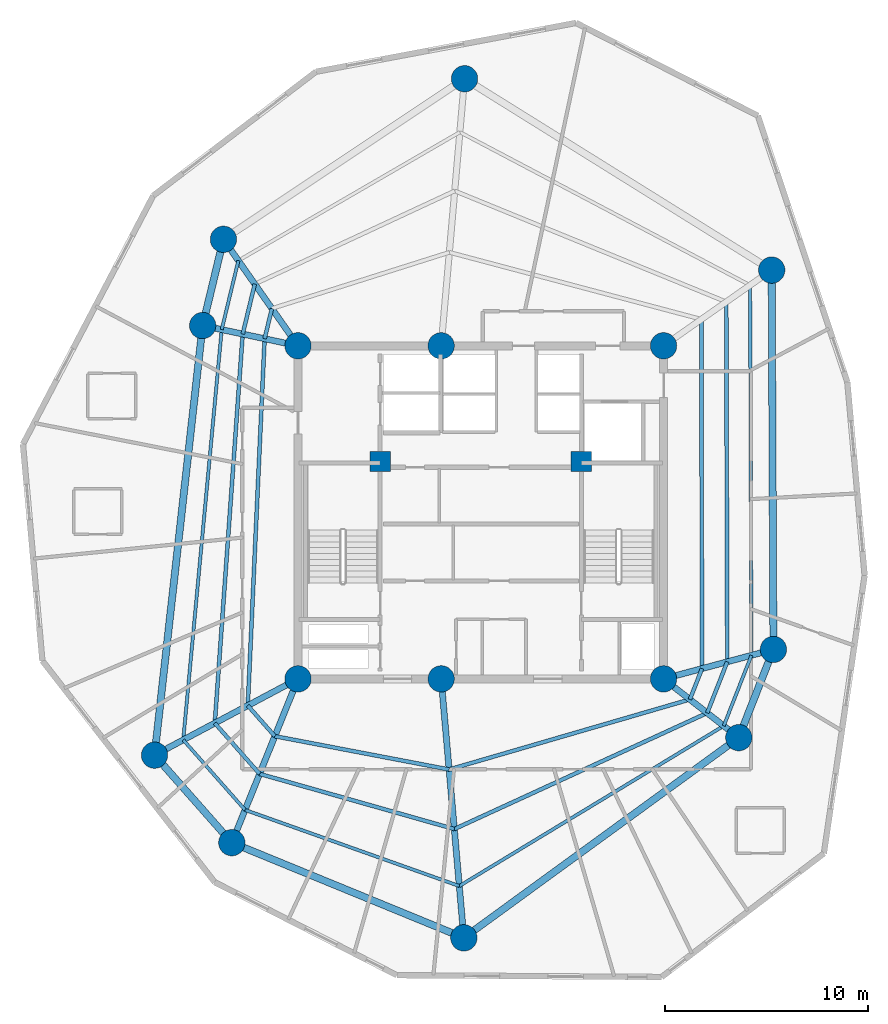
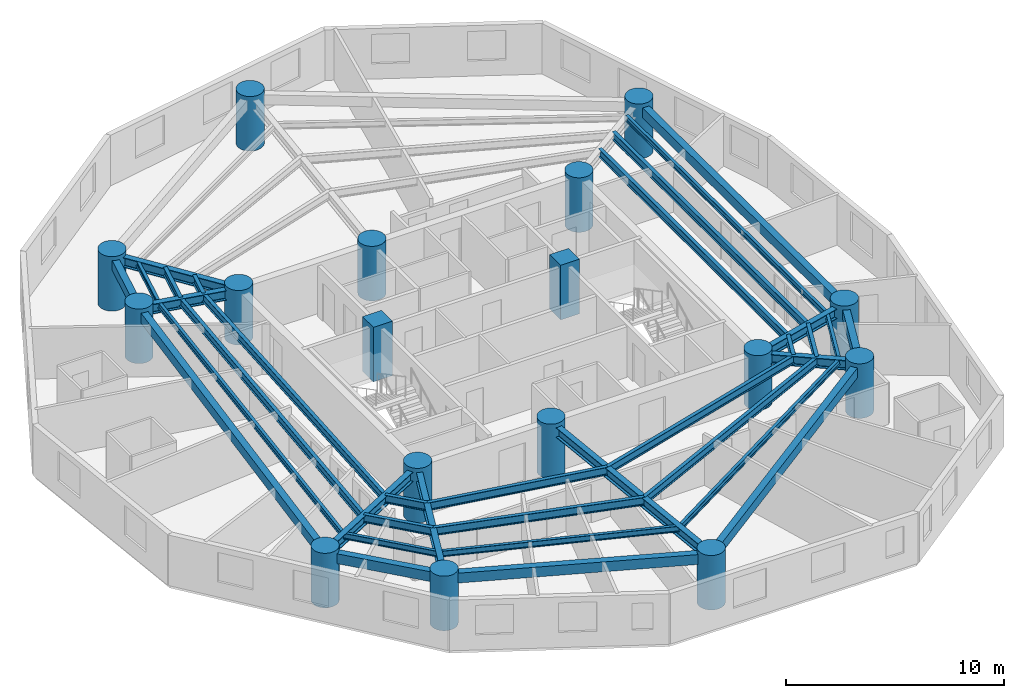
# One storey, part 1 of 7: 35 beams, 17 columns.
"""IFC4 building model written with IfcOpenShell, lengths in metres."""

from ifc_helpers import new_model, si_unit, direction, frame, origin, origin_with_axes, origin_2d, place, context, subcontext, project, spatial, rectangle, circle, i_section, extrude, source, transform, mapped, material, material_profile, profile_set, type_object, element, save


model = new_model("IFC4")

# Units and contexts
model_context = context("Model", 3, precision=1e-05, world=origin(), true_north=direction((0.0, 1.0)))
body_context = subcontext(model_context, "Body", "Model", "MODEL_VIEW")
ifc_project = project(units=[si_unit("LENGTHUNIT", "METRE"), si_unit("AREAUNIT", "SQUARE_METRE"), si_unit("VOLUMEUNIT", "CUBIC_METRE"), si_unit("PLANEANGLEUNIT", "RADIAN"), si_unit("MASSUNIT", "GRAM", prefix="KILO")], contexts=[model_context])

# Site, building, storey
site_placement = place(None, origin())
site = spatial("IfcSite", under=ifc_project, at=site_placement, CompositionType="ELEMENT")
building_placement = place(site_placement, origin())
building = spatial("IfcBuilding", under=site, at=building_placement, Name="Karkom Vertical University and Central Library", CompositionType="ELEMENT")
storey_placement = place(building_placement, frame((0.0, 0.0, 199.25)))
storey = spatial("IfcBuildingStorey", under=building, at=storey_placement, Name="L58", CompositionType="ELEMENT", Elevation=199.25)

# Columns
ifc_material_1 = material(Name="Concrete C50/60", Category="concrete")
ifc_material_profile_1 = material_profile(ifc_material_1, circle(Radius=0.64990234375, at=origin_2d()), Name="CFT-D1300")
ifc_profile_set_1 = profile_set([ifc_material_profile_1], Name="Concrete C50/60")
column_type_1 = type_object("IfcColumnType", Name="STR-COL-C-SC4", PredefinedType="COLUMN", material=ifc_profile_set_1)
shared_shape_1 = source(origin_with_axes(), body_context, "Body", "SweptSolid", [
    extrude(circle(Radius=0.64990234375, at=origin_2d()), origin(), (0.0, 0.0, 1.0), 3.050048828125),
])
for number, where, z_axis, x_axis, name in (
    (1, (19.5, 18.300048828125, 0.0), (0.0, 0.0, 1.0), (1.0, 0.0, 0.0), "Level 58 Spine Mega-Column SC-1"),
    (2, (26.550048828125, 18.300048828125, 0.0), (0.0, 0.0, 1.0), (1.0, 0.0, 0.0), "Level 58 Spine Mega-Column SC-2"),
    (3, (37.5, 18.300048828125, 0.0), (0.0, 0.0, 1.0), (1.0, 0.0, 0.0), "Level 58 Spine Mega-Column SC-3"),
    (4, (19.5, 34.699951171875, 0.0), (0.0, 0.0, 1.0), (1.0, 0.0, 0.0), "Level 58 Spine Mega-Column SC-4"),
    (5, (26.550048828125, 34.699951171875, 0.0), (0.0, 0.0, 1.0), (1.0, 0.0, 0.0), "Level 58 Spine Mega-Column SC-5"),
    (6, (37.5, 34.699951171875, 0.0), (0.0, 0.0, 1.0), (1.0, 0.0, 0.0), "Level 58 Spine Mega-Column SC-6"),
    (7, (42.908935546875, 19.7490234375, 0.0), (0.0, 0.0, 1.0), (1.0, 0.0, 0.0), "Level 58 Perimeter Mega-Column Z3-PC1"),
    (8, (42.823974609375, 38.427978515625, 0.0), (0.0, 0.0, 1.0), (1.0, 0.0, 0.0), "Level 58 Perimeter Mega-Column Z3-PC2"),
    (9, (27.699951171875, 47.85009765625, 0.0), (0.0, 0.0, 1.0), (1.0, 0.0, 0.0), "Level 58 Perimeter Mega-Column Z3-PC3"),
    (10, (15.8291015625, 39.943115234375, 0.0), (0.0, 0.0, 1.0), (1.0, 0.0, 0.0), "Level 58 Perimeter Mega-Column Z3-PC4"),
    (11, (14.804931640625, 35.697998046875, 0.0), (0.0, 0.0, 1.0), (1.0, 0.0, 0.0), "Level 58 Perimeter Mega-Column Z3-PC5"),
    (12, (12.43603515625, 14.5439453125, 0.0), (0.0, 0.0, 1.0), (1.0, 0.0, 0.0), "Level 58 Perimeter Mega-Column Z3-PC6"),
    (13, (16.240966796875, 10.23388671875, 0.0), (0.0, 0.0, 1.0), (1.0, 0.0, 0.0), "Level 58 Perimeter Mega-Column Z3-PC7"),
    (14, (27.666015625, 5.549072265625, 0.0), (0.0, 0.0, 1.0), (1.0, 0.0, 0.0), "Level 58 Perimeter Mega-Column Z3-PC8"),
    (15, (41.2041015625, 15.406005859375, 0.0), (0.0, 0.0, 1.0), (1.0, 0.0, 0.0), "Level 58 Perimeter Mega-Column Z3-PC9"),
):
    element("IfcColumn", number, at=place(storey_placement, frame(where, z_axis=z_axis, x_axis=x_axis)), inside=storey, type_object=column_type_1, Name=name, PredefinedType="COLUMN", context=body_context, shape_type="MappedRepresentation", body=[
        mapped(shared_shape_1, transform((0.0, 0.0, 0.0), scale=1.0)),
    ])
ifc_material_profile_2 = material_profile(ifc_material_1, rectangle(XDim=1.0, YDim=1.0, at=origin_2d()), Name="RC-1000x1000")
ifc_profile_set_2 = profile_set([ifc_material_profile_2], Name="Concrete C50/60")
column_type_2 = type_object("IfcColumnType", Name="STR-COL-C-CC2", PredefinedType="COLUMN", material=ifc_profile_set_2)
shared_shape_2 = source(origin_with_axes(), body_context, "Body", "SweptSolid", [
    extrude(rectangle(XDim=1.0, YDim=1.0, at=origin_2d()), origin(), (0.0, 0.0, 1.0), 3.050048828125),
])
for number, where, z_axis, x_axis, name in (
    (16, (23.550048828125, 29.0, 0.0), (0.0, 0.0, 1.0), (1.0, 0.0, 0.0), "Level 58 Core Node Column CC-1"),
    (17, (33.449951171875, 29.0, 0.0), (0.0, 0.0, 1.0), (1.0, 0.0, 0.0), "Level 58 Core Node Column CC-2"),
):
    element("IfcColumn", number, at=place(storey_placement, frame(where, z_axis=z_axis, x_axis=x_axis)), inside=storey, type_object=column_type_2, Name=name, PredefinedType="COLUMN", context=body_context, shape_type="MappedRepresentation", body=[
        mapped(shared_shape_2, transform((0.0, 0.0, 0.0), scale=1.0)),
    ])

# Beams
ifc_material_2 = material(Name="Precast concrete C45/55", Category="concrete")
ifc_material_profile_3 = material_profile(ifc_material_2, rectangle(XDim=0.35009765625, YDim=0.550048828125, at=origin_2d()), Name="SPB-350x550")
ifc_profile_set_3 = profile_set([ifc_material_profile_3], Name="Precast concrete C45/55")
beam_type_1 = type_object("IfcBeamType", Name="STR-BM-SP-2", PredefinedType="SPANDREL", material=ifc_profile_set_3)
shared_shape_3 = source(origin_with_axes(), body_context, "Body", "SweptSolid", [
    extrude(rectangle(XDim=0.35009765625, YDim=0.550048828125, at=origin_2d()), origin(), (0.0, 0.0, 1.0), 18.67919921875),
])
beam_1_placement = place(storey_placement, frame((42.908935546875, 19.7490234375, 2.550048828125), z_axis=(-0.004548437442, 0.999989655805, 0.0), x_axis=(-0.999989655805, -0.004548437442, 0.0)))
element("IfcBeam", 18, at=beam_1_placement, inside=storey, type_object=beam_type_1, Name="Level 58 Perimeter Spandrel Beam 01", PredefinedType="SPANDREL", context=body_context, shape_type="MappedRepresentation", body=[
    mapped(shared_shape_3, transform((0.0, 0.0, 0.0), scale=1.0)),
])
shared_shape_4 = source(origin_with_axes(), body_context, "Body", "SweptSolid", [
    extrude(rectangle(XDim=0.35009765625, YDim=0.550048828125, at=origin_2d()), origin(), (0.0, 0.0, 1.0), 4.366943359375),
])
beam_2_placement = place(storey_placement, frame((15.8291015625, 39.943115234375, 2.550048828125), z_axis=(-0.234529408772, -0.972109024966, 0.0), x_axis=(0.972109024966, -0.234529408772, 0.0)))
element("IfcBeam", 19, at=beam_2_placement, inside=storey, type_object=beam_type_1, Name="Level 58 Perimeter Spandrel Beam 04", PredefinedType="SPANDREL", context=body_context, shape_type="MappedRepresentation", body=[
    mapped(shared_shape_4, transform((0.0, 0.0, 0.0), scale=1.0)),
])
shared_shape_5 = source(origin_with_axes(), body_context, "Body", "SweptSolid", [
    extrude(rectangle(XDim=0.35009765625, YDim=0.550048828125, at=origin_2d()), origin(), (0.0, 0.0, 1.0), 21.286376953125),
])
beam_3_placement = place(storey_placement, frame((14.804931640625, 35.697998046875, 2.550048828125), z_axis=(-0.111287493264, -0.993788254028, 0.0), x_axis=(0.993788254028, -0.111287493264, 0.0)))
element("IfcBeam", 20, at=beam_3_placement, inside=storey, type_object=beam_type_1, Name="Level 58 Perimeter Spandrel Beam 05", PredefinedType="SPANDREL", context=body_context, shape_type="MappedRepresentation", body=[
    mapped(shared_shape_5, transform((0.0, 0.0, 0.0), scale=1.0)),
])
shared_shape_6 = source(origin_with_axes(), body_context, "Body", "SweptSolid", [
    extrude(rectangle(XDim=0.35009765625, YDim=0.550048828125, at=origin_2d()), origin(), (0.0, 0.0, 1.0), 5.749267578125),
])
beam_4_placement = place(storey_placement, frame((12.43603515625, 14.5439453125, 2.550048828125), z_axis=(0.661811219671, -0.74967053398, 0.0), x_axis=(0.74967053398, 0.661811219671, 0.0)))
element("IfcBeam", 21, at=beam_4_placement, inside=storey, type_object=beam_type_1, Name="Level 58 Perimeter Spandrel Beam 06", PredefinedType="SPANDREL", context=body_context, shape_type="MappedRepresentation", body=[
    mapped(shared_shape_6, transform((0.0, 0.0, 0.0), scale=1.0)),
])
shared_shape_7 = source(origin_with_axes(), body_context, "Body", "SweptSolid", [
    extrude(rectangle(XDim=0.35009765625, YDim=0.550048828125, at=origin_2d()), origin(), (0.0, 0.0, 1.0), 12.34814453125),
])
beam_5_placement = place(storey_placement, frame((16.240966796875, 10.23388671875, 2.550048828125), z_axis=(0.925236428984, -0.37939102583, 0.0), x_axis=(0.37939102583, 0.925236428984, 0.0)))
element("IfcBeam", 22, at=beam_5_placement, inside=storey, type_object=beam_type_1, Name="Level 58 Perimeter Spandrel Beam 07", PredefinedType="SPANDREL", context=body_context, shape_type="MappedRepresentation", body=[
    mapped(shared_shape_7, transform((0.0, 0.0, 0.0), scale=1.0)),
])
shared_shape_8 = source(origin_with_axes(), body_context, "Body", "SweptSolid", [
    extrude(rectangle(XDim=0.35009765625, YDim=0.550048828125, at=origin_2d()), origin(), (0.0, 0.0, 1.0), 16.746337890625),
])
beam_6_placement = place(storey_placement, frame((27.666015625, 5.549072265625, 2.550048828125), z_axis=(0.808422013284, 0.588603303115, 0.0), x_axis=(-0.588603303115, 0.808422013284, 0.0)))
element("IfcBeam", 23, at=beam_6_placement, inside=storey, type_object=beam_type_1, Name="Level 58 Perimeter Spandrel Beam 08", PredefinedType="SPANDREL", context=body_context, shape_type="MappedRepresentation", body=[
    mapped(shared_shape_8, transform((0.0, 0.0, 0.0), scale=1.0)),
])
shared_shape_9 = source(origin_with_axes(), body_context, "Body", "SweptSolid", [
    extrude(rectangle(XDim=0.35009765625, YDim=0.550048828125, at=origin_2d()), origin(), (0.0, 0.0, 1.0), 4.66552734375),
])
beam_7_placement = place(storey_placement, frame((41.2041015625, 15.406005859375, 2.550048828125), z_axis=(0.365401419454, 0.930850043058, 0.0), x_axis=(-0.930850043058, 0.365401419454, 0.0)))
element("IfcBeam", 24, at=beam_7_placement, inside=storey, type_object=beam_type_1, Name="Level 58 Perimeter Spandrel Beam 09", PredefinedType="SPANDREL", context=body_context, shape_type="MappedRepresentation", body=[
    mapped(shared_shape_9, transform((0.0, 0.0, 0.0), scale=1.0)),
])
ifc_material_3 = material(Name="Steel S355", Category="steel")
ifc_material_profile_4 = material_profile(ifc_material_3, i_section(OverallWidth=0.18994140625, OverallDepth=0.449951171875, WebThickness=0.009521484375, FlangeThickness=0.0146484375, FilletRadius=0.02099609375, at=origin_2d()), Name="IPE 450")
ifc_profile_set_4 = profile_set([ifc_material_profile_4], Name="Steel S355")
beam_type_2 = type_object("IfcBeamType", Name="STR-BM-SB-IPE450", PredefinedType="BEAM", material=ifc_profile_set_4)
shared_shape_10 = source(origin_with_axes(), body_context, "Body", "SweptSolid", [
    extrude(i_section(OverallWidth=0.18994140625, OverallDepth=0.449951171875, WebThickness=0.009521484375, FlangeThickness=0.0146484375, FilletRadius=0.02099609375, at=origin_2d()), origin(), (0.0, 0.0, 1.0), 17.19775390625),
])
beam_8_placement = place(storey_placement, frame((39.39306640625, 18.80712890625, 2.60009765625), z_axis=(-0.001731918699, 0.999998500228, 0.0), x_axis=(-0.999998500228, -0.001731918699, 0.0)))
element("IfcBeam", 25, at=beam_8_placement, inside=storey, type_object=beam_type_2, Name="Level 58 Secondary Composite Floor Beam 1.01", PredefinedType="BEAM", context=body_context, shape_type="MappedRepresentation", body=[
    mapped(shared_shape_10, transform((0.0, 0.0, 0.0), scale=1.0)),
])
shared_shape_11 = source(origin_with_axes(), body_context, "Body", "SweptSolid", [
    extrude(i_section(OverallWidth=0.18994140625, OverallDepth=0.449951171875, WebThickness=0.009521484375, FlangeThickness=0.0146484375, FilletRadius=0.02099609375, at=origin_2d()), origin(), (0.0, 0.0, 1.0), 1.5283203125),
])
beam_9_placement = place(storey_placement, frame((18.215087890625, 36.534912109375, 2.60009765625), z_axis=(-0.234520804587, -0.972111100757, 0.0), x_axis=(0.972111100757, -0.234520804587, 0.0)))
element("IfcBeam", 26, at=beam_9_placement, inside=storey, type_object=beam_type_2, Name="Level 58 Secondary Composite Floor Beam 1.04", PredefinedType="BEAM", context=body_context, shape_type="MappedRepresentation", body=[
    mapped(shared_shape_11, transform((0.0, 0.0, 0.0), scale=1.0)),
])
shared_shape_12 = source(origin_with_axes(), body_context, "Body", "SweptSolid", [
    extrude(i_section(OverallWidth=0.18994140625, OverallDepth=0.449951171875, WebThickness=0.009521484375, FlangeThickness=0.0146484375, FilletRadius=0.02099609375, at=origin_2d()), origin(), (0.0, 0.0, 1.0), 18.0830078125),
])
beam_10_placement = place(storey_placement, frame((17.856689453125, 35.04931640625, 2.60009765625), z_axis=(-0.04584982532, -0.998948343769, 0.0), x_axis=(0.998948343769, -0.04584982532, 0.0)))
element("IfcBeam", 27, at=beam_10_placement, inside=storey, type_object=beam_type_2, Name="Level 58 Secondary Composite Floor Beam 1.05", PredefinedType="BEAM", context=body_context, shape_type="MappedRepresentation", body=[
    mapped(shared_shape_12, transform((0.0, 0.0, 0.0), scale=1.0)),
])
shared_shape_13 = source(origin_with_axes(), body_context, "Body", "SweptSolid", [
    extrude(i_section(OverallWidth=0.18994140625, OverallDepth=0.449951171875, WebThickness=0.009521484375, FlangeThickness=0.0146484375, FilletRadius=0.02099609375, at=origin_2d()), origin(), (0.0, 0.0, 1.0), 2.01220703125),
])
beam_11_placement = place(storey_placement, frame((17.027587890625, 16.9853515625, 2.60009765625), z_axis=(0.661822246424, -0.749660799387, 0.0), x_axis=(0.749660799387, 0.661822246424, 0.0)))
element("IfcBeam", 28, at=beam_11_placement, inside=storey, type_object=beam_type_2, Name="Level 58 Secondary Composite Floor Beam 1.06", PredefinedType="BEAM", context=body_context, shape_type="MappedRepresentation", body=[
    mapped(shared_shape_13, transform((0.0, 0.0, 0.0), scale=1.0)),
])
shared_shape_14 = source(origin_with_axes(), body_context, "Body", "SweptSolid", [
    extrude(i_section(OverallWidth=0.18994140625, OverallDepth=0.449951171875, WebThickness=0.009521484375, FlangeThickness=0.0146484375, FilletRadius=0.02099609375, at=origin_2d()), origin(), (0.0, 0.0, 1.0), 8.736572265625),
])
beam_12_placement = place(storey_placement, frame((18.359375, 15.476806640625, 2.60009765625), z_axis=(0.982230782932, -0.187677087205, 0.0), x_axis=(0.187677087205, 0.982230782932, 0.0)))
element("IfcBeam", 29, at=beam_12_placement, inside=storey, type_object=beam_type_2, Name="Level 58 Secondary Composite Floor Beam 1.07", PredefinedType="BEAM", context=body_context, shape_type="MappedRepresentation", body=[
    mapped(shared_shape_14, transform((0.0, 0.0, 0.0), scale=1.0)),
])
shared_shape_15 = source(origin_with_axes(), body_context, "Body", "SweptSolid", [
    extrude(i_section(OverallWidth=0.18994140625, OverallDepth=0.449951171875, WebThickness=0.009521484375, FlangeThickness=0.0146484375, FilletRadius=0.02099609375, at=origin_2d()), origin(), (0.0, 0.0, 1.0), 12.347412109375),
])
beam_13_placement = place(storey_placement, frame((26.940673828125, 13.837158203125, 2.60009765625), z_axis=(0.960173212987, 0.279405442077, 0.0), x_axis=(-0.279405442077, 0.960173212987, 0.0)))
element("IfcBeam", 30, at=beam_13_placement, inside=storey, type_object=beam_type_2, Name="Level 58 Secondary Composite Floor Beam 1.08", PredefinedType="BEAM", context=body_context, shape_type="MappedRepresentation", body=[
    mapped(shared_shape_15, transform((0.0, 0.0, 0.0), scale=1.0)),
])
shared_shape_16 = source(origin_with_axes(), body_context, "Body", "SweptSolid", [
    extrude(i_section(OverallWidth=0.18994140625, OverallDepth=0.449951171875, WebThickness=0.009521484375, FlangeThickness=0.0146484375, FilletRadius=0.02099609375, at=origin_2d()), origin(), (0.0, 0.0, 1.0), 1.633056640625),
])
beam_14_placement = place(storey_placement, frame((38.79638671875, 17.287109375, 2.60009765625), z_axis=(0.365402570083, 0.930849591382, 0.0), x_axis=(-0.930849591382, 0.365402570083, 0.0)))
element("IfcBeam", 31, at=beam_14_placement, inside=storey, type_object=beam_type_2, Name="Level 58 Secondary Composite Floor Beam 1.09", PredefinedType="BEAM", context=body_context, shape_type="MappedRepresentation", body=[
    mapped(shared_shape_16, transform((0.0, 0.0, 0.0), scale=1.0)),
])
shared_shape_17 = source(origin_with_axes(), body_context, "Body", "SweptSolid", [
    extrude(i_section(OverallWidth=0.18994140625, OverallDepth=0.449951171875, WebThickness=0.009521484375, FlangeThickness=0.0146484375, FilletRadius=0.02099609375, at=origin_2d()), origin(), (0.0, 0.0, 1.0), 17.721923828125),
])
beam_15_placement = place(storey_placement, frame((40.63720703125, 19.140380859375, 2.60009765625), z_axis=(-0.002782780006, 0.99999612806, 0.0), x_axis=(-0.99999612806, -0.002782780006, 0.0)))
element("IfcBeam", 32, at=beam_15_placement, inside=storey, type_object=beam_type_2, Name="Level 58 Secondary Composite Floor Beam 2.01", PredefinedType="BEAM", context=body_context, shape_type="MappedRepresentation", body=[
    mapped(shared_shape_17, transform((0.0, 0.0, 0.0), scale=1.0)),
])
shared_shape_18 = source(origin_with_axes(), body_context, "Body", "SweptSolid", [
    extrude(i_section(OverallWidth=0.18994140625, OverallDepth=0.449951171875, WebThickness=0.009521484375, FlangeThickness=0.0146484375, FilletRadius=0.02099609375, at=origin_2d()), origin(), (0.0, 0.0, 1.0), 2.53271484375),
])
beam_16_placement = place(storey_placement, frame((17.370849609375, 37.740966796875, 2.60009765625), z_axis=(-0.234521178828, -0.972111010472, 0.0), x_axis=(0.972111010472, -0.234521178828, 0.0)))
element("IfcBeam", 33, at=beam_16_placement, inside=storey, type_object=beam_type_2, Name="Level 58 Secondary Composite Floor Beam 2.04", PredefinedType="BEAM", context=body_context, shape_type="MappedRepresentation", body=[
    mapped(shared_shape_18, transform((0.0, 0.0, 0.0), scale=1.0)),
])
shared_shape_19 = source(origin_with_axes(), body_context, "Body", "SweptSolid", [
    extrude(i_section(OverallWidth=0.18994140625, OverallDepth=0.449951171875, WebThickness=0.009521484375, FlangeThickness=0.0146484375, FilletRadius=0.02099609375, at=origin_2d()), origin(), (0.0, 0.0, 1.0), 19.20654296875),
])
beam_17_placement = place(storey_placement, frame((16.77685546875, 35.27880859375, 2.60009765625), z_axis=(-0.071539731632, -0.997437750839, 0.0), x_axis=(0.997437750839, -0.071539731632, 0.0)))
element("IfcBeam", 34, at=beam_17_placement, inside=storey, type_object=beam_type_2, Name="Level 58 Secondary Composite Floor Beam 2.05", PredefinedType="BEAM", context=body_context, shape_type="MappedRepresentation", body=[
    mapped(shared_shape_19, transform((0.0, 0.0, 0.0), scale=1.0)),
])
shared_shape_20 = source(origin_with_axes(), body_context, "Body", "SweptSolid", [
    extrude(i_section(OverallWidth=0.18994140625, OverallDepth=0.449951171875, WebThickness=0.009521484375, FlangeThickness=0.0146484375, FilletRadius=0.02099609375, at=origin_2d()), origin(), (0.0, 0.0, 1.0), 3.334716796875),
])
beam_18_placement = place(storey_placement, frame((15.40283203125, 16.12158203125, 2.60009765625), z_axis=(0.661815321502, -0.749666912852, 0.0), x_axis=(0.749666912852, 0.661815321502, 0.0)))
element("IfcBeam", 35, at=beam_18_placement, inside=storey, type_object=beam_type_2, Name="Level 58 Secondary Composite Floor Beam 2.06", PredefinedType="BEAM", context=body_context, shape_type="MappedRepresentation", body=[
    mapped(shared_shape_20, transform((0.0, 0.0, 0.0), scale=1.0)),
])
shared_shape_21 = source(origin_with_axes(), body_context, "Body", "SweptSolid", [
    extrude(i_section(OverallWidth=0.18994140625, OverallDepth=0.449951171875, WebThickness=0.009521484375, FlangeThickness=0.0146484375, FilletRadius=0.02099609375, at=origin_2d()), origin(), (0.0, 0.0, 1.0), 9.965087890625),
])
beam_19_placement = place(storey_placement, frame((17.60986328125, 13.62158203125, 2.60009765625), z_axis=(0.962104232935, -0.272681948372, 0.0), x_axis=(0.272681948372, 0.962104232935, 0.0)))
element("IfcBeam", 36, at=beam_19_placement, inside=storey, type_object=beam_type_2, Name="Level 58 Secondary Composite Floor Beam 2.07", PredefinedType="BEAM", context=body_context, shape_type="MappedRepresentation", body=[
    mapped(shared_shape_21, transform((0.0, 0.0, 0.0), scale=1.0)),
])
shared_shape_22 = source(origin_with_axes(), body_context, "Body", "SweptSolid", [
    extrude(i_section(OverallWidth=0.18994140625, OverallDepth=0.449951171875, WebThickness=0.009521484375, FlangeThickness=0.0146484375, FilletRadius=0.02099609375, at=origin_2d()), origin(), (0.0, 0.0, 1.0), 13.700927734375),
])
beam_20_placement = place(storey_placement, frame((27.197265625, 10.904296875, 2.60009765625), z_axis=(0.908771280691, 0.417294571486, 0.0), x_axis=(-0.417294571486, 0.908771280691, 0.0)))
element("IfcBeam", 37, at=beam_20_placement, inside=storey, type_object=beam_type_2, Name="Level 58 Secondary Composite Floor Beam 2.08", PredefinedType="BEAM", context=body_context, shape_type="MappedRepresentation", body=[
    mapped(shared_shape_22, transform((0.0, 0.0, 0.0), scale=1.0)),
])
shared_shape_23 = source(origin_with_axes(), body_context, "Body", "SweptSolid", [
    extrude(i_section(OverallWidth=0.18994140625, OverallDepth=0.449951171875, WebThickness=0.009521484375, FlangeThickness=0.0146484375, FilletRadius=0.02099609375, at=origin_2d()), origin(), (0.0, 0.0, 1.0), 2.7060546875),
])
beam_21_placement = place(storey_placement, frame((39.648193359375, 16.62158203125, 2.60009765625), z_axis=(0.365487674906, 0.930816179217, 0.0), x_axis=(-0.930816179217, 0.365487674906, 0.0)))
element("IfcBeam", 38, at=beam_21_placement, inside=storey, type_object=beam_type_2, Name="Level 58 Secondary Composite Floor Beam 2.09", PredefinedType="BEAM", context=body_context, shape_type="MappedRepresentation", body=[
    mapped(shared_shape_23, transform((0.0, 0.0, 0.0), scale=1.0)),
])
ifc_material_profile_5 = material_profile(ifc_material_3, i_section(OverallWidth=0.159912109375, OverallDepth=0.330078125, WebThickness=0.007568359375, FlangeThickness=0.011474609375, FilletRadius=0.01806640625, at=origin_2d()), Name="IPE 330")
ifc_profile_set_5 = profile_set([ifc_material_profile_5], Name="Steel S355")
beam_type_3 = type_object("IfcBeamType", Name="STR-BM-SB-IPE330", PredefinedType="BEAM", material=ifc_profile_set_5)
shared_shape_24 = source(origin_with_axes(), body_context, "Body", "SweptSolid", [
    extrude(i_section(OverallWidth=0.159912109375, OverallDepth=0.330078125, WebThickness=0.007568359375, FlangeThickness=0.011474609375, FilletRadius=0.01806640625, at=origin_2d()), origin(), (0.0, 0.0, 1.0), 18.223388671875),
])
beam_22_placement = place(storey_placement, frame((41.8271484375, 19.459228515625, 2.659912109375), z_axis=(-0.003724418851, 0.999993064328, 0.0), x_axis=(-0.999993064328, -0.003724418851, 0.0)))
element("IfcBeam", 39, at=beam_22_placement, inside=storey, type_object=beam_type_3, Name="Level 58 Secondary Composite Floor Beam 3.01", PredefinedType="BEAM", context=body_context, shape_type="MappedRepresentation", body=[
    mapped(shared_shape_24, transform((0.0, 0.0, 0.0), scale=1.0)),
])
shared_shape_25 = source(origin_with_axes(), body_context, "Body", "SweptSolid", [
    extrude(i_section(OverallWidth=0.159912109375, OverallDepth=0.330078125, WebThickness=0.007568359375, FlangeThickness=0.011474609375, FilletRadius=0.01806640625, at=origin_2d()), origin(), (0.0, 0.0, 1.0), 3.493408203125),
])
beam_23_placement = place(storey_placement, frame((16.563232421875, 38.894287109375, 2.659912109375), z_axis=(-0.234535781995, -0.972107487351, 0.0), x_axis=(0.972107487351, -0.234535781995, 0.0)))
element("IfcBeam", 40, at=beam_23_placement, inside=storey, type_object=beam_type_3, Name="Level 58 Secondary Composite Floor Beam 3.04", PredefinedType="BEAM", context=body_context, shape_type="MappedRepresentation", body=[
    mapped(shared_shape_25, transform((0.0, 0.0, 0.0), scale=1.0)),
])
shared_shape_26 = source(origin_with_axes(), body_context, "Body", "SweptSolid", [
    extrude(i_section(OverallWidth=0.159912109375, OverallDepth=0.330078125, WebThickness=0.007568359375, FlangeThickness=0.011474609375, FilletRadius=0.01806640625, at=origin_2d()), origin(), (0.0, 0.0, 1.0), 20.291748046875),
])
beam_24_placement = place(storey_placement, frame((15.743896484375, 35.498291015625, 2.659912109375), z_axis=(-0.093388415244, -0.995629752417, 0.0), x_axis=(0.995629752417, -0.093388415244, 0.0)))
element("IfcBeam", 41, at=beam_24_placement, inside=storey, type_object=beam_type_3, Name="Level 58 Secondary Composite Floor Beam 3.05", PredefinedType="BEAM", context=body_context, shape_type="MappedRepresentation", body=[
    mapped(shared_shape_26, transform((0.0, 0.0, 0.0), scale=1.0)),
])
shared_shape_27 = source(origin_with_axes(), body_context, "Body", "SweptSolid", [
    extrude(i_section(OverallWidth=0.159912109375, OverallDepth=0.330078125, WebThickness=0.007568359375, FlangeThickness=0.011474609375, FilletRadius=0.01806640625, at=origin_2d()), origin(), (0.0, 0.0, 1.0), 4.599365234375),
])
beam_25_placement = place(storey_placement, frame((13.848876953125, 15.295166015625, 2.659912109375), z_axis=(0.661816486801, -0.74966588411, 0.0), x_axis=(0.74966588411, 0.661816486801, 0.0)))
element("IfcBeam", 42, at=beam_25_placement, inside=storey, type_object=beam_type_3, Name="Level 58 Secondary Composite Floor Beam 3.06", PredefinedType="BEAM", context=body_context, shape_type="MappedRepresentation", body=[
    mapped(shared_shape_27, transform((0.0, 0.0, 0.0), scale=1.0)),
])
shared_shape_28 = source(origin_with_axes(), body_context, "Body", "SweptSolid", [
    extrude(i_section(OverallWidth=0.159912109375, OverallDepth=0.330078125, WebThickness=0.007568359375, FlangeThickness=0.011474609375, FilletRadius=0.01806640625, at=origin_2d()), origin(), (0.0, 0.0, 1.0), 11.196044921875),
])
beam_26_placement = place(storey_placement, frame((16.892822265625, 11.84716796875, 2.659912109375), z_axis=(0.942301538336, -0.334765307119, 0.0), x_axis=(0.334765307119, 0.942301538336, 0.0)))
element("IfcBeam", 43, at=beam_26_placement, inside=storey, type_object=beam_type_3, Name="Level 58 Secondary Composite Floor Beam 3.07", PredefinedType="BEAM", context=body_context, shape_type="MappedRepresentation", body=[
    mapped(shared_shape_28, transform((0.0, 0.0, 0.0), scale=1.0)),
])
shared_shape_29 = source(origin_with_axes(), body_context, "Body", "SweptSolid", [
    extrude(i_section(OverallWidth=0.159912109375, OverallDepth=0.330078125, WebThickness=0.007568359375, FlangeThickness=0.011474609375, FilletRadius=0.01806640625, at=origin_2d()), origin(), (0.0, 0.0, 1.0), 15.22216796875),
])
beam_27_placement = place(storey_placement, frame((27.44287109375, 8.09912109375, 2.659912109375), z_axis=(0.855352900974, 0.518045765155, 0.0), x_axis=(-0.518045765155, 0.855352900974, 0.0)))
element("IfcBeam", 44, at=beam_27_placement, inside=storey, type_object=beam_type_3, Name="Level 58 Secondary Composite Floor Beam 3.08", PredefinedType="BEAM", context=body_context, shape_type="MappedRepresentation", body=[
    mapped(shared_shape_29, transform((0.0, 0.0, 0.0), scale=1.0)),
])
shared_shape_30 = source(origin_with_axes(), body_context, "Body", "SweptSolid", [
    extrude(i_section(OverallWidth=0.159912109375, OverallDepth=0.330078125, WebThickness=0.007568359375, FlangeThickness=0.011474609375, FilletRadius=0.01806640625, at=origin_2d()), origin(), (0.0, 0.0, 1.0), 3.732421875),
])
beam_28_placement = place(storey_placement, frame((40.463134765625, 15.98486328125, 2.659912109375), z_axis=(0.365439874109, 0.930834946922, 0.0), x_axis=(-0.930834946922, 0.365439874109, 0.0)))
element("IfcBeam", 45, at=beam_28_placement, inside=storey, type_object=beam_type_3, Name="Level 58 Secondary Composite Floor Beam 3.09", PredefinedType="BEAM", context=body_context, shape_type="MappedRepresentation", body=[
    mapped(shared_shape_30, transform((0.0, 0.0, 0.0), scale=1.0)),
])
ifc_material_profile_6 = material_profile(ifc_material_3, i_section(OverallWidth=0.300048828125, OverallDepth=0.550048828125, WebThickness=0.014892578125, FlangeThickness=0.029052734375, FilletRadius=0.027099609375, at=origin_2d()), Name="HE 550 B")
ifc_profile_set_6 = profile_set([ifc_material_profile_6], Name="Steel S355")
beam_type_4 = type_object("IfcBeamType", Name="STR-BM-SB-HE550", PredefinedType="USERDEFINED", material=ifc_profile_set_6)
shared_shape_31 = source(origin_with_axes(), body_context, "Body", "SweptSolid", [
    extrude(i_section(OverallWidth=0.300048828125, OverallDepth=0.550048828125, WebThickness=0.014892578125, FlangeThickness=0.029052734375, FilletRadius=0.027099609375, at=origin_2d()), origin(), (0.0, 0.0, 1.0), 5.599609375),
])
beam_29_placement = place(storey_placement, frame((37.5, 18.300048828125, 2.550048828125), z_axis=(0.965941240814, 0.258761510459, 0.0), x_axis=(-0.258761510459, 0.965941240814, 0.0)))
element("IfcBeam", 46, at=beam_29_placement, inside=storey, type_object=beam_type_4, Name="Level 58 Radial Frame Girder 01", ObjectType="GIRDER", PredefinedType="USERDEFINED", context=body_context, shape_type="MappedRepresentation", body=[
    mapped(shared_shape_31, transform((0.0, 0.0, 0.0), scale=1.0)),
])
shared_shape_32 = source(origin_with_axes(), body_context, "Body", "SweptSolid", [
    extrude(i_section(OverallWidth=0.300048828125, OverallDepth=0.550048828125, WebThickness=0.014892578125, FlangeThickness=0.029052734375, FilletRadius=0.027099609375, at=origin_2d()), origin(), (0.0, 0.0, 1.0), 6.400390625),
])
beam_30_placement = place(storey_placement, frame((19.5, 34.699951171875, 2.550048828125), z_axis=(-0.573534022273, 0.81918174131, 0.0), x_axis=(-0.81918174131, -0.573534022273, 0.0)))
element("IfcBeam", 47, at=beam_30_placement, inside=storey, type_object=beam_type_4, Name="Level 58 Radial Frame Girder 04", ObjectType="GIRDER", PredefinedType="USERDEFINED", context=body_context, shape_type="MappedRepresentation", body=[
    mapped(shared_shape_32, transform((0.0, 0.0, 0.0), scale=1.0)),
])
shared_shape_33 = source(origin_with_axes(), body_context, "Body", "SweptSolid", [
    extrude(i_section(OverallWidth=0.300048828125, OverallDepth=0.550048828125, WebThickness=0.014892578125, FlangeThickness=0.029052734375, FilletRadius=0.027099609375, at=origin_2d()), origin(), (0.0, 0.0, 1.0), 4.800048828125),
])
beam_31_placement = place(storey_placement, frame((19.5, 34.699951171875, 2.550048828125), z_axis=(-0.978144241295, 0.207927495108, 0.0), x_axis=(-0.207927495108, -0.978144241295, 0.0)))
element("IfcBeam", 48, at=beam_31_placement, inside=storey, type_object=beam_type_4, Name="Level 58 Radial Frame Girder 05", ObjectType="GIRDER", PredefinedType="USERDEFINED", context=body_context, shape_type="MappedRepresentation", body=[
    mapped(shared_shape_33, transform((0.0, 0.0, 0.0), scale=1.0)),
])
shared_shape_34 = source(origin_with_axes(), body_context, "Body", "SweptSolid", [
    extrude(i_section(OverallWidth=0.300048828125, OverallDepth=0.550048828125, WebThickness=0.014892578125, FlangeThickness=0.029052734375, FilletRadius=0.027099609375, at=origin_2d()), origin(), (0.0, 0.0, 1.0), 8.00048828125),
])
beam_32_placement = place(storey_placement, frame((19.5, 18.300048828125, 2.550048828125), z_axis=(-0.882941023922, -0.46948391695, 0.0), x_axis=(0.46948391695, -0.882941023922, 0.0)))
element("IfcBeam", 49, at=beam_32_placement, inside=storey, type_object=beam_type_4, Name="Level 58 Radial Frame Girder 06", ObjectType="GIRDER", PredefinedType="USERDEFINED", context=body_context, shape_type="MappedRepresentation", body=[
    mapped(shared_shape_34, transform((0.0, 0.0, 0.0), scale=1.0)),
])
shared_shape_35 = source(origin_with_axes(), body_context, "Body", "SweptSolid", [
    extrude(i_section(OverallWidth=0.300048828125, OverallDepth=0.550048828125, WebThickness=0.014892578125, FlangeThickness=0.029052734375, FilletRadius=0.027099609375, at=origin_2d()), origin(), (0.0, 0.0, 1.0), 8.69970703125),
])
beam_33_placement = place(storey_placement, frame((19.5, 18.300048828125, 2.550048828125), z_axis=(-0.374615701214, -0.927180174725, 0.0), x_axis=(0.927180174725, -0.374615701214, 0.0)))
element("IfcBeam", 50, at=beam_33_placement, inside=storey, type_object=beam_type_4, Name="Level 58 Radial Frame Girder 07", ObjectType="GIRDER", PredefinedType="USERDEFINED", context=body_context, shape_type="MappedRepresentation", body=[
    mapped(shared_shape_35, transform((0.0, 0.0, 0.0), scale=1.0)),
])
shared_shape_36 = source(origin_with_axes(), body_context, "Body", "SweptSolid", [
    extrude(i_section(OverallWidth=0.300048828125, OverallDepth=0.550048828125, WebThickness=0.014892578125, FlangeThickness=0.029052734375, FilletRadius=0.027099609375, at=origin_2d()), origin(), (0.0, 0.0, 1.0), 12.7998046875),
])
beam_34_placement = place(storey_placement, frame((26.550048828125, 18.300048828125, 2.550048828125), z_axis=(0.087186825694, -0.996191978198, 0.0), x_axis=(0.996191978198, 0.087186825694, 0.0)))
element("IfcBeam", 51, at=beam_34_placement, inside=storey, type_object=beam_type_4, Name="Level 58 Radial Frame Girder 08", ObjectType="GIRDER", PredefinedType="USERDEFINED", context=body_context, shape_type="MappedRepresentation", body=[
    mapped(shared_shape_36, transform((0.0, 0.0, 0.0), scale=1.0)),
])
shared_shape_37 = source(origin_with_axes(), body_context, "Body", "SweptSolid", [
    extrude(i_section(OverallWidth=0.300048828125, OverallDepth=0.550048828125, WebThickness=0.014892578125, FlangeThickness=0.029052734375, FilletRadius=0.027099609375, at=origin_2d()), origin(), (0.0, 0.0, 1.0), 4.70068359375),
])
beam_35_placement = place(storey_placement, frame((37.5, 18.300048828125, 2.550048828125), z_axis=(0.788002325582, -0.615672262553, 0.0), x_axis=(0.615672262553, 0.788002325582, 0.0)))
element("IfcBeam", 52, at=beam_35_placement, inside=storey, type_object=beam_type_4, Name="Level 58 Radial Frame Girder 09", ObjectType="GIRDER", PredefinedType="USERDEFINED", context=body_context, shape_type="MappedRepresentation", body=[
    mapped(shared_shape_37, transform((0.0, 0.0, 0.0), scale=1.0)),
])

save(model, "model.ifc")
